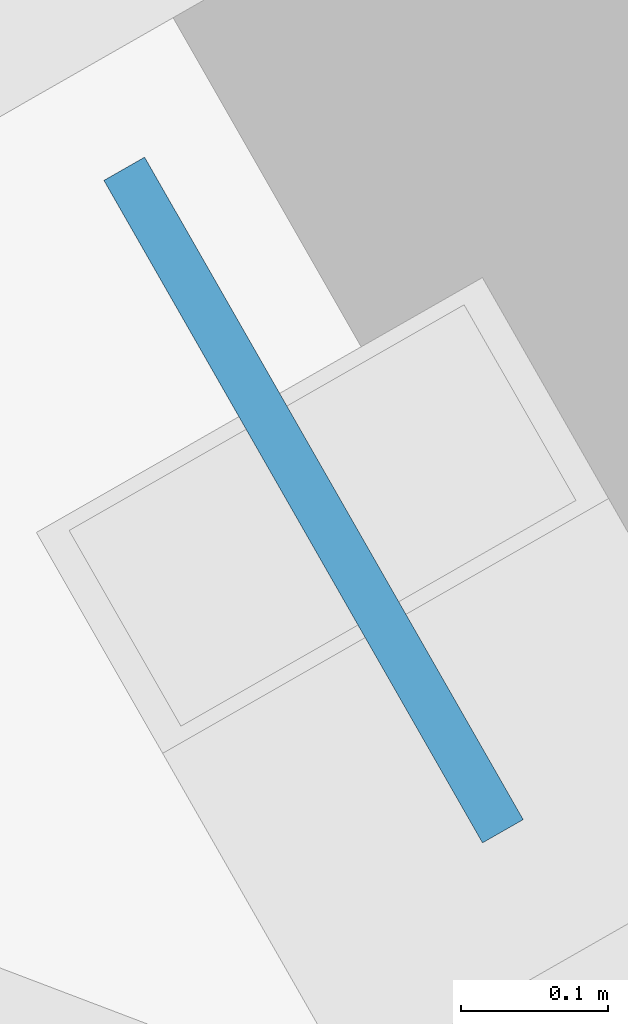
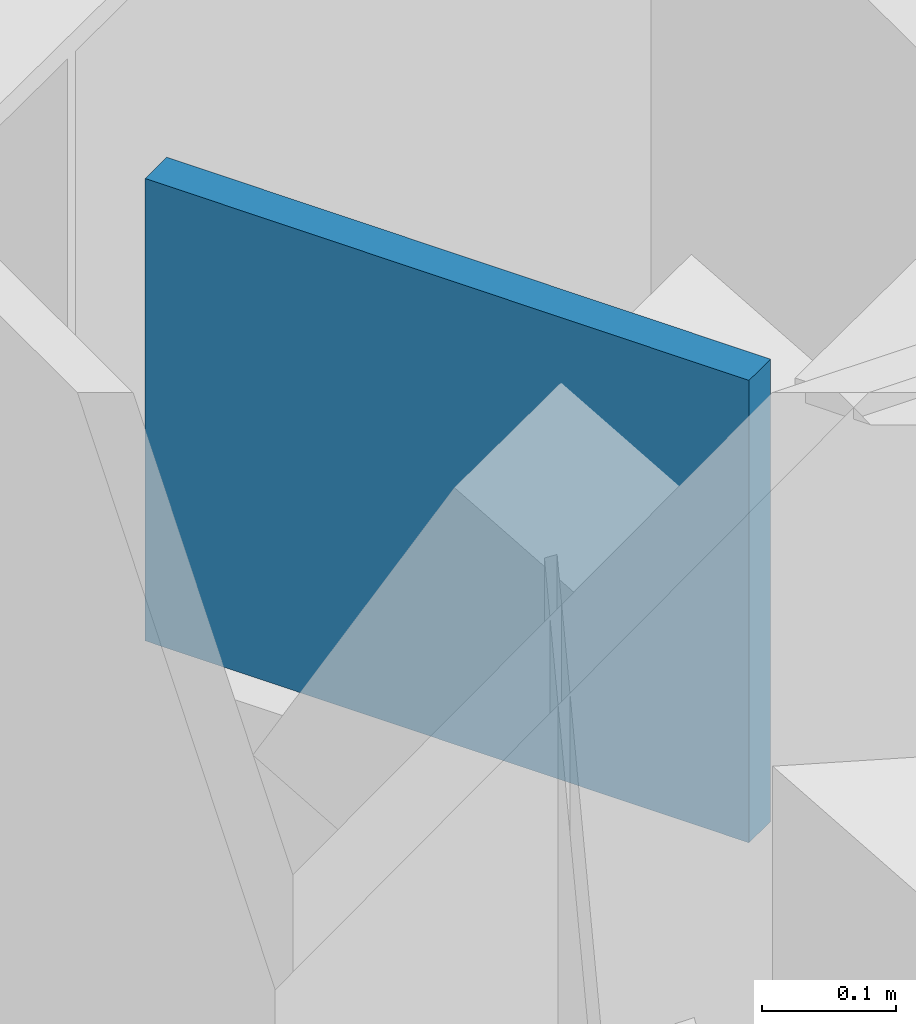
# One storey, part 5 of 11: 1 plate.
"""IFC4 building model written with IfcOpenShell, lengths in metres."""

from ifc_helpers import new_model, si_unit, direction, frame, origin, origin_2d, place, context, subcontext, project, spatial, rectangle, extrude, material, layer, layer_set, type_object, element, save


model = new_model("IFC4")

# Units and contexts
model_context = context("Model", 3, precision=1e-05, world=origin(), true_north=direction((0.0, 1.0)))
body_context = subcontext(model_context, "Body", "Model", "MODEL_VIEW")
ifc_project = project(units=[si_unit("LENGTHUNIT", "METRE"), si_unit("AREAUNIT", "SQUARE_METRE"), si_unit("VOLUMEUNIT", "CUBIC_METRE"), si_unit("PLANEANGLEUNIT", "RADIAN"), si_unit("MASSUNIT", "GRAM", prefix="KILO")], contexts=[model_context])

# Site, building, storey
site_placement = place(None, origin())
site = spatial("IfcSite", under=ifc_project, at=site_placement, CompositionType="ELEMENT")
building_placement = place(site_placement, origin())
building = spatial("IfcBuilding", under=site, at=building_placement, Name="Kavelnor Concourse Tower", CompositionType="ELEMENT")
storey_placement = place(building_placement, frame((0.0, 0.0, 9.85009765625)))
storey = spatial("IfcBuildingStorey", under=building, at=storey_placement, Name="L02", CompositionType="ELEMENT", Elevation=9.85009765625)

# Plate
ifc_material = material(Name="Steel Grade 350", Category="steel")
ifc_layer = layer(ifc_material, 0.031982421875, Name="Steel Grade 350")
ifc_layer_set = layer_set([ifc_layer], Name="Steel Grade 350")
plate_type = type_object("IfcPlateType", Name="PL-GUSSET-TUBE-Z1", PredefinedType="USERDEFINED", material=ifc_layer_set)
plate_placement = place(storey_placement, frame((51.3740234375, 34.231689453125, 3.073974609375), z_axis=(0.0, 0.0, 1.0), x_axis=(-0.496216503675, 0.868198814489, 0.0)))
element("IfcPlate", 1, at=plate_placement, inside=storey, type_object=plate_type, Name="L02 Tube Brace Gusset GP3 F2-B3 End Gusset B", ObjectType="GUSSET_PLATE", PredefinedType="USERDEFINED", context=body_context, shape_type="SweptSolid", body=[
    extrude(rectangle(XDim=0.52001953125, YDim=0.031982421875, at=origin_2d()), origin(), (0.0, 0.0, 1.0), 0.419921875),
])

save(model, "model.ifc")
